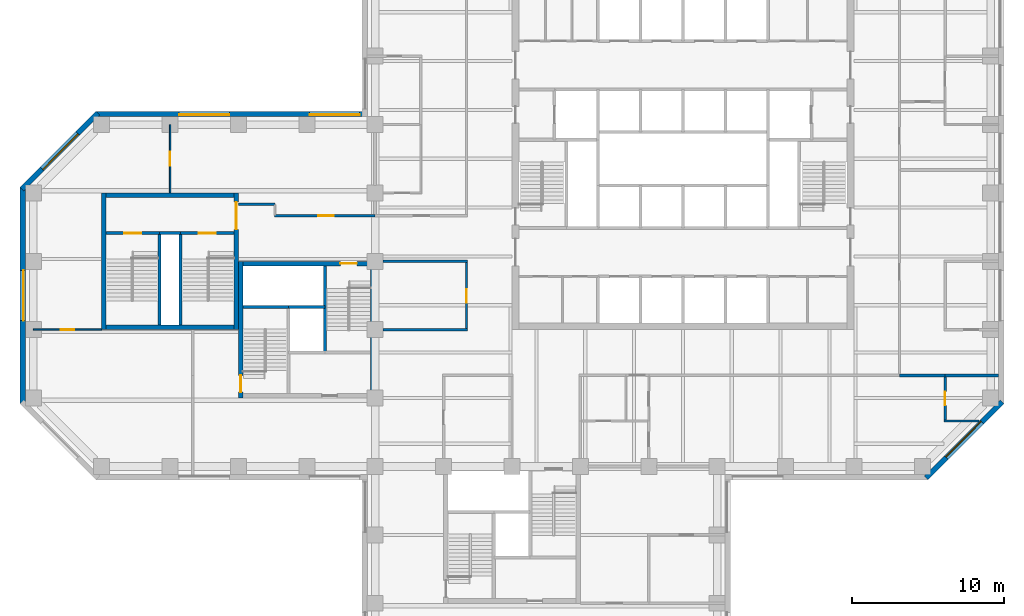
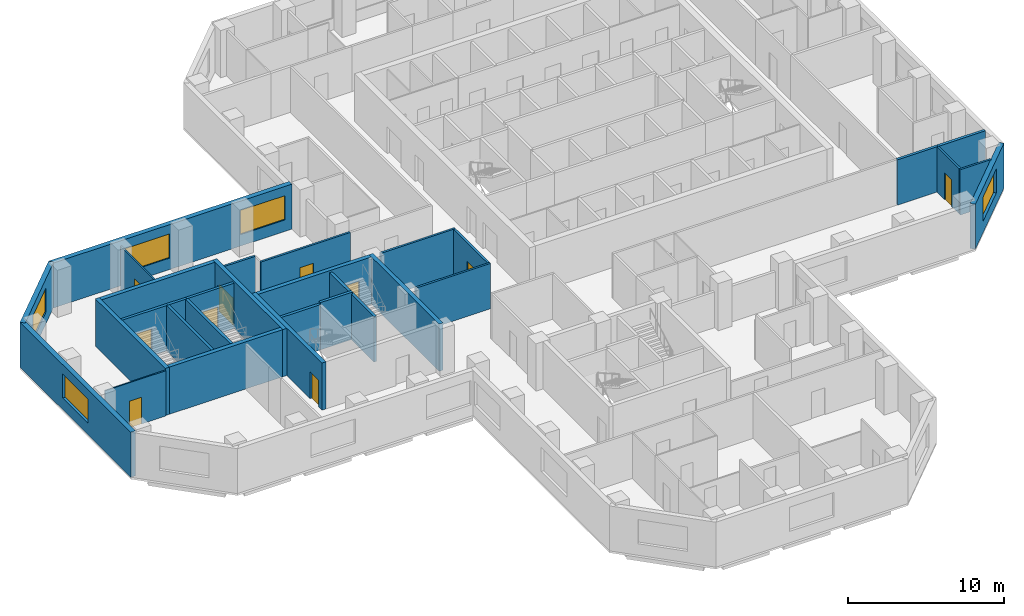
# One storey, part 5 of 11: 30 walls, 10 doors, 5 windows, 15 openings.
"""IFC4 building model written with IfcOpenShell, lengths in metres."""

from ifc_helpers import new_model, si_unit, direction, frame, frame_2d, origin, place, context, subcontext, project, spatial, rectangle, extrude, material, layer, layer_set, constituent, constituent_set, type_object, element, fill, save


model = new_model("IFC4")

# Units and contexts
model_context = context("Model", 3, precision=1e-05, world=origin(), true_north=direction((0.0, 1.0)))
body_context = subcontext(model_context, "Body", "Model", "MODEL_VIEW")
ifc_project = project(units=[si_unit("LENGTHUNIT", "METRE"), si_unit("AREAUNIT", "SQUARE_METRE"), si_unit("VOLUMEUNIT", "CUBIC_METRE"), si_unit("PLANEANGLEUNIT", "RADIAN"), si_unit("MASSUNIT", "GRAM", prefix="KILO")], contexts=[model_context])

# Site, building, storey
site_placement = place(None, origin())
site = spatial("IfcSite", under=ifc_project, at=site_placement, CompositionType="ELEMENT")
building_placement = place(site_placement, origin())
building = spatial("IfcBuilding", under=site, at=building_placement, Name="Quoin Convention Tower", CompositionType="ELEMENT")
storey_placement = place(building_placement, frame((0.0, 0.0, 115.89990234375)))
storey = spatial("IfcBuildingStorey", under=building, at=storey_placement, Name="L30", CompositionType="ELEMENT", Elevation=115.89990234375)

# Wall, opening, window
ifc_material_1 = material(Name="Brick masonry", Category="masonry")
ifc_layer_1 = layer(ifc_material_1, 0.35009765625)
ifc_layer_set_1 = layer_set([ifc_layer_1], Name="Brick masonry")
wall_type_1 = type_object("IfcWallType", Name="Brick facade wall", PredefinedType="STANDARD", material=ifc_layer_set_1)
wall_1_placement = place(storey_placement, frame((72.23876953125, 39.748779296875, 0.0), z_axis=(0.0, 0.0, 1.0), x_axis=(0.707106781187, 0.707106781187, 0.0)))
wall_1 = element("IfcWall", 1, at=wall_1_placement, inside=storey, type_object=wall_type_1, Name="fw-L30-72000_40500", PredefinedType="STANDARD", context=body_context, shape_type="SweptSolid", body=[
    extrude(rectangle(XDim=7.088623046875, YDim=0.35009765625, at=frame_2d((3.54443359375, 0.0))), origin(), (0.0, 0.0, 1.0), 3.525146484375),
])
opening_1_placement = place(wall_1_placement, frame((1.894287109375, 0.0, 0.89990234375)))
opening_1 = element("IfcOpeningElement", 2, at=opening_1_placement, cuts=wall_1, Name="Opening W-02", PredefinedType="OPENING", context=body_context, shape_type="SweptSolid", body=[
    extrude(rectangle(XDim=3.300048828125, YDim=1.89990234375, at=frame_2d((1.64990234375, 0.949951171875))), frame((0.0, 0.18505859375, 0.0), z_axis=(0.0, -1.0, 0.0), x_axis=(1.0, 0.0, 0.0)), (0.0, 0.0, 1.0), 0.3701171875),
])
ifc_material_2 = material(Name="Aluminium", Category="aluminium")
ifc_constituent_1 = constituent(ifc_material_2, Name="Frame")
ifc_material_3 = material(Name="Insulated glass", Category="glass")
ifc_constituent_2 = constituent(ifc_material_3, Name="Glazing")
ifc_constituent_set = constituent_set(constituents=[ifc_constituent_1, ifc_constituent_2], Name="Aluminium")
window_type = type_object("IfcWindowType", Name="Office window", PartitioningType="DOUBLE_PANEL_VERTICAL", PredefinedType="WINDOW", material=ifc_constituent_set)
window_1_placement = place(opening_1_placement, origin())
window_1 = element("IfcWindow", 3, at=window_1_placement, inside=storey, type_object=window_type, Name="win-L30-74745_42255", OverallHeight=1.89990234375, OverallWidth=3.300048828125, PartitioningType="SINGLE_PANEL", PredefinedType="WINDOW", context=body_context, shape_type="SweptSolid", body=[
    extrude(rectangle(XDim=3.300048828125, YDim=1.89990234375, at=frame_2d((1.64990234375, 0.949951171875))), frame((0.0, 0.0849609375, 0.0), z_axis=(0.0, -1.0, 0.0), x_axis=(1.0, 0.0, 0.0)), (0.0, 0.0, 1.0), 0.06005859375),
])
fill(opening_1, window_1)

# Wall, openings, windows
wall_2_placement = place(storey_placement, frame((35.47509765625, 63.699951171875, 0.0), z_axis=(0.0, 0.0, 1.0), x_axis=(-1.0, 0.0, 0.0)))
wall_2 = element("IfcWall", 4, at=wall_2_placement, inside=storey, type_object=wall_type_1, Name="fw-L30-36000_63000", PredefinedType="STANDARD", context=body_context, shape_type="SweptSolid", body=[
    extrude(rectangle(XDim=17.83740234375, YDim=0.35009765625, at=frame_2d((8.918701171875, 0.0))), origin(), (0.0, 0.0, 1.0), 3.525146484375),
])
opening_2_placement = place(wall_2_placement, frame((0.5, 0.0, 0.89990234375)))
opening_2 = element("IfcOpeningElement", 5, at=opening_2_placement, cuts=wall_2, Name="Opening W-02", PredefinedType="OPENING", context=body_context, shape_type="SweptSolid", body=[
    extrude(rectangle(XDim=3.300048828125, YDim=1.89990234375, at=frame_2d((1.64990234375, 0.949951171875))), frame((0.0, 0.18505859375, 0.0), z_axis=(0.0, -1.0, 0.0), x_axis=(1.0, 0.0, 0.0)), (0.0, 0.0, 1.0), 0.3701171875),
])
opening_3_placement = place(wall_2_placement, frame((9.074951171875, 0.0, 0.89990234375)))
opening_3 = element("IfcOpeningElement", 6, at=opening_3_placement, cuts=wall_2, Name="Opening W-02", PredefinedType="OPENING", context=body_context, shape_type="SweptSolid", body=[
    extrude(rectangle(XDim=3.300048828125, YDim=1.89990234375, at=frame_2d((1.64990234375, 0.949951171875))), frame((0.0, 0.18505859375, 0.0), z_axis=(0.0, -1.0, 0.0), x_axis=(1.0, 0.0, 0.0)), (0.0, 0.0, 1.0), 0.3701171875),
])
window_2_placement = place(opening_2_placement, origin())
window_2 = element("IfcWindow", 7, at=window_2_placement, inside=storey, type_object=window_type, Name="win-L30-33750_63700", OverallHeight=1.89990234375, OverallWidth=3.300048828125, PartitioningType="SINGLE_PANEL", PredefinedType="WINDOW", context=body_context, shape_type="SweptSolid", body=[
    extrude(rectangle(XDim=3.300048828125, YDim=1.89990234375, at=frame_2d((1.64990234375, 0.949951171875))), frame((0.0, 0.0849609375, 0.0), z_axis=(0.0, -1.0, 0.0), x_axis=(1.0, 0.0, 0.0)), (0.0, 0.0, 1.0), 0.06005859375),
])
fill(opening_2, window_2)
window_3_placement = place(opening_3_placement, origin())
window_3 = element("IfcWindow", 8, at=window_3_placement, inside=storey, type_object=window_type, Name="win-L30-24750_63700", OverallHeight=1.89990234375, OverallWidth=3.300048828125, PartitioningType="SINGLE_PANEL", PredefinedType="WINDOW", context=body_context, shape_type="SweptSolid", body=[
    extrude(rectangle(XDim=3.300048828125, YDim=1.89990234375, at=frame_2d((1.64990234375, 0.949951171875))), frame((0.0, 0.0849609375, 0.0), z_axis=(0.0, -1.0, 0.0), x_axis=(1.0, 0.0, 0.0)), (0.0, 0.0, 1.0), 0.06005859375),
])
fill(opening_3, window_3)

# Wall, opening, window
wall_3_placement = place(storey_placement, frame((17.76123046875, 63.751220703125, 0.0), z_axis=(0.0, 0.0, 1.0), x_axis=(-0.707106781187, -0.707106781187, 0.0)))
wall_3 = element("IfcWall", 9, at=wall_3_placement, inside=storey, type_object=wall_type_1, Name="fw-L30-18000_63000", PredefinedType="STANDARD", context=body_context, shape_type="SweptSolid", body=[
    extrude(rectangle(XDim=7.088623046875, YDim=0.35009765625, at=frame_2d((3.54443359375, 0.0))), origin(), (0.0, 0.0, 1.0), 3.525146484375),
])
opening_4_placement = place(wall_3_placement, frame((1.894287109375, 0.0, 0.89990234375)))
opening_4 = element("IfcOpeningElement", 10, at=opening_4_placement, cuts=wall_3, Name="Opening W-02", PredefinedType="OPENING", context=body_context, shape_type="SweptSolid", body=[
    extrude(rectangle(XDim=3.300048828125, YDim=1.89990234375, at=frame_2d((1.64990234375, 0.949951171875))), frame((0.0, 0.18505859375, 0.0), z_axis=(0.0, -1.0, 0.0), x_axis=(1.0, 0.0, 0.0)), (0.0, 0.0, 1.0), 0.3701171875),
])
window_4_placement = place(opening_4_placement, origin())
window_4 = element("IfcWindow", 11, at=window_4_placement, inside=storey, type_object=window_type, Name="win-L30-15255_61245", OverallHeight=1.89990234375, OverallWidth=3.300048828125, PartitioningType="SINGLE_PANEL", PredefinedType="WINDOW", context=body_context, shape_type="SweptSolid", body=[
    extrude(rectangle(XDim=3.300048828125, YDim=1.89990234375, at=frame_2d((1.64990234375, 0.949951171875))), frame((0.0, 0.0849609375, 0.0), z_axis=(0.0, -1.0, 0.0), x_axis=(1.0, 0.0, 0.0)), (0.0, 0.0, 1.0), 0.06005859375),
])
fill(opening_4, window_4)

wall_4_placement = place(storey_placement, frame((12.800048828125, 58.8623046875, 0.0), z_axis=(0.0, 0.0, 1.0), x_axis=(0.0, -1.0, 0.0)))
wall_4 = element("IfcWall", 12, at=wall_4_placement, inside=storey, type_object=wall_type_1, Name="fw-L30-13500_58500", PredefinedType="STANDARD", context=body_context, shape_type="SweptSolid", body=[
    extrude(rectangle(XDim=14.224609375, YDim=0.35009765625, at=frame_2d((7.1123046875, 0.0))), origin(), (0.0, 0.0, 1.0), 3.525146484375),
])
opening_5_placement = place(wall_4_placement, frame((5.46240234375, 0.0, 0.89990234375)))
opening_5 = element("IfcOpeningElement", 13, at=opening_5_placement, cuts=wall_4, Name="Opening W-02", PredefinedType="OPENING", context=body_context, shape_type="SweptSolid", body=[
    extrude(rectangle(XDim=3.300048828125, YDim=1.89990234375, at=frame_2d((1.64990234375, 0.949951171875))), frame((0.0, 0.18505859375, 0.0), z_axis=(0.0, -1.0, 0.0), x_axis=(1.0, 0.0, 0.0)), (0.0, 0.0, 1.0), 0.3701171875),
])
window_5_placement = place(opening_5_placement, origin())
window_5 = element("IfcWindow", 14, at=window_5_placement, inside=storey, type_object=window_type, Name="win-L30-12800_51750", OverallHeight=1.89990234375, OverallWidth=3.300048828125, PartitioningType="SINGLE_PANEL", PredefinedType="WINDOW", context=body_context, shape_type="SweptSolid", body=[
    extrude(rectangle(XDim=3.300048828125, YDim=1.89990234375, at=frame_2d((1.64990234375, 0.949951171875))), frame((0.0, 0.0849609375, 0.0), z_axis=(0.0, -1.0, 0.0), x_axis=(1.0, 0.0, 0.0)), (0.0, 0.0, 1.0), 0.06005859375),
])
fill(opening_5, window_5)

# Walls
ifc_material_4 = material(Name="Concrete C50", Category="concrete")
ifc_layer_2 = layer(ifc_material_4, 0.199951171875)
ifc_layer_set_2 = layer_set([ifc_layer_2], Name="Concrete C50")
wall_type_2 = type_object("IfcWallType", Name="Core shaft wall", PredefinedType="SOLIDWALL", material=ifc_layer_set_2)
wall_5_placement = place(storey_placement, frame((27.300048828125, 51.0, 0.0), z_axis=(0.0, 0.0, 1.0), x_axis=(1.0, 0.0, 0.0)))
element("IfcWall", 15, at=wall_5_placement, inside=storey, type_object=wall_type_2, Name="cr-P2-L30-h6000_300", PredefinedType="SOLIDWALL", context=body_context, shape_type="SweptSolid", body=[
    extrude(rectangle(XDim=3.0, YDim=0.199951171875, at=frame_2d((1.5, 0.0))), origin(), (0.0, 0.0, 1.0), 3.550048828125),
])
wall_6_placement = place(storey_placement, frame((32.699951171875, 48.0, 0.0), z_axis=(0.0, 0.0, 1.0), x_axis=(0.0, 1.0, 0.0)))
element("IfcWall", 16, at=wall_6_placement, inside=storey, type_object=wall_type_2, Name="cr-P2-L30-v5700_3000", PredefinedType="SOLIDWALL", context=body_context, shape_type="SweptSolid", body=[
    extrude(rectangle(XDim=5.699951171875, YDim=0.199951171875, at=frame_2d((2.85009765625, 0.0))), origin(), (0.0, 0.0, 1.0), 3.550048828125),
])
wall_7_placement = place(storey_placement, frame((21.800048828125, 55.85009765625, 0.0), z_axis=(0.0, 0.0, 1.0), x_axis=(1.0, 0.0, 0.0)))
element("IfcWall", 17, at=wall_7_placement, inside=storey, type_object=wall_type_2, Name="cr-P6-L30-h6350_3800", PredefinedType="SOLIDWALL", context=body_context, shape_type="SweptSolid", body=[
    extrude(rectangle(XDim=1.39990234375, YDim=0.199951171875, at=frame_2d((0.699951171875, 0.0))), origin(), (0.0, 0.0, 1.0), 3.550048828125),
])

# Wall, opening, door
wall_8_placement = place(storey_placement, frame((18.300048828125, 55.85009765625, 0.0), z_axis=(0.0, 0.0, 1.0), x_axis=(1.0, 0.0, 0.0)))
wall_8 = element("IfcWall", 18, at=wall_8_placement, inside=storey, type_object=wall_type_2, Name="cr-P6-L30-h6350_300", PredefinedType="SOLIDWALL", context=body_context, shape_type="SweptSolid", body=[
    extrude(rectangle(XDim=3.5, YDim=0.199951171875, at=frame_2d((1.75, 0.0))), origin(), (0.0, 0.0, 1.0), 3.550048828125),
])
opening_6_placement = place(wall_8_placement, frame((1.199951171875, 0.0, 0.0)))
opening_6 = element("IfcOpeningElement", 19, at=opening_6_placement, cuts=wall_8, Name="Opening SD11", PredefinedType="OPENING", context=body_context, shape_type="SweptSolid", body=[
    extrude(rectangle(XDim=1.10009765625, YDim=2.10009765625, at=frame_2d((0.550048828125, 1.050048828125))), frame((0.0, 0.10986328125, 0.0), z_axis=(0.0, -1.0, 0.0), x_axis=(1.0, 0.0, 0.0)), (0.0, 0.0, 1.0), 0.219970703125),
])
ifc_material_5 = material(Name="Steel door leaf", Category="steel")
door_type_1 = type_object("IfcDoorType", Name="Stair door 1100 x 2100", OperationType="SINGLE_SWING_RIGHT", PredefinedType="DOOR", material=ifc_material_5)
door_1_placement = place(opening_6_placement, origin())
door_1 = element("IfcDoor", 20, at=door_1_placement, inside=storey, type_object=door_type_1, Name="cd-P6-L30-SA-R2-SD11", OperationType="SINGLE_SWING_RIGHT", OverallHeight=2.10009765625, OverallWidth=1.10009765625, PredefinedType="DOOR", context=body_context, shape_type="SweptSolid", body=[
    extrude(rectangle(XDim=1.10009765625, YDim=2.10009765625, at=frame_2d((0.550048828125, 1.050048828125))), frame((0.0, 0.02490234375, 0.0), z_axis=(0.0, -1.0, 0.0), x_axis=(1.0, 0.0, 0.0)), (0.0, 0.0, 1.0), 0.050048828125),
])
fill(opening_6, door_1)

wall_9_placement = place(storey_placement, frame((23.199951171875, 55.85009765625, 0.0), z_axis=(0.0, 0.0, 1.0), x_axis=(1.0, 0.0, 0.0)))
wall_9 = element("IfcWall", 21, at=wall_9_placement, inside=storey, type_object=wall_type_2, Name="cr-P6-L30-h6350_5200", PredefinedType="SOLIDWALL", context=body_context, shape_type="SweptSolid", body=[
    extrude(rectangle(XDim=3.5, YDim=0.199951171875, at=frame_2d((1.75, 0.0))), origin(), (0.0, 0.0, 1.0), 3.550048828125),
])
opening_7_placement = place(wall_9_placement, frame((1.199951171875, 0.0, 0.0)))
opening_7 = element("IfcOpeningElement", 22, at=opening_7_placement, cuts=wall_9, Name="Opening SD12", PredefinedType="OPENING", context=body_context, shape_type="SweptSolid", body=[
    extrude(rectangle(XDim=1.10009765625, YDim=2.10009765625, at=frame_2d((0.550048828125, 1.050048828125))), frame((0.0, 0.10986328125, 0.0), z_axis=(0.0, -1.0, 0.0), x_axis=(1.0, 0.0, 0.0)), (0.0, 0.0, 1.0), 0.219970703125),
])
door_2_placement = place(opening_7_placement, origin())
door_2 = element("IfcDoor", 23, at=door_2_placement, inside=storey, type_object=door_type_1, Name="cd-P6-L30-SB-R2-SD12", OperationType="SINGLE_SWING_RIGHT", OverallHeight=2.10009765625, OverallWidth=1.10009765625, PredefinedType="DOOR", context=body_context, shape_type="SweptSolid", body=[
    extrude(rectangle(XDim=1.10009765625, YDim=2.10009765625, at=frame_2d((0.550048828125, 1.050048828125))), frame((0.0, 0.02490234375, 0.0), z_axis=(0.0, -1.0, 0.0), x_axis=(1.0, 0.0, 0.0)), (0.0, 0.0, 1.0), 0.050048828125),
])
fill(opening_7, door_2)

# Walls
for number, where, z_axis, x_axis, name in (
    (24, (21.800048828125, 49.800048828125, 0.0), (0.0, 0.0, 1.0), (0.0, 1.0, 0.0), "cr-P6-L30-v3800_300"),
    (25, (23.199951171875, 49.800048828125, 0.0), (0.0, 0.0, 1.0), (0.0, 1.0, 0.0), "cr-P6-L30-v5200_300"),
):
    element("IfcWall", number, at=place(storey_placement, frame(where, z_axis=z_axis, x_axis=x_axis)), inside=storey, type_object=wall_type_2, Name=name, PredefinedType="SOLIDWALL", context=body_context, shape_type="SweptSolid", body=[
        extrude(rectangle(XDim=6.050048828125, YDim=0.199951171875, at=frame_2d((3.02490234375, 0.0))), origin(), (0.0, 0.0, 1.0), 3.550048828125),
    ])
ifc_layer_3 = layer(ifc_material_4, 0.199951171875)
ifc_layer_set_3 = layer_set([ifc_layer_3], Name="Concrete C50")
wall_type_3 = type_object("IfcWallType", Name="Core shaft wall to the floor level over", PredefinedType="SOLIDWALL", material=ifc_layer_set_3)
wall_10_placement = place(storey_placement, frame((30.300048828125, 51.0, 0.0), z_axis=(0.0, 0.0, 1.0), x_axis=(1.0, 0.0, 0.0)))
element("IfcWall", 26, at=wall_10_placement, inside=storey, type_object=wall_type_3, Name="cr-P2-L30-h6000_3300", PredefinedType="SOLIDWALL", context=body_context, shape_type="SweptSolid", body=[
    extrude(rectangle(XDim=2.39990234375, YDim=0.199951171875, at=frame_2d((1.199951171875, 0.0))), origin(), (0.0, 0.0, 1.0), 3.7001953125),
])
ifc_material_6 = material(Name="Plasterboard")
ifc_layer_4 = layer(ifc_material_6, 0.012451171875, Name="Finish")
ifc_material_7 = material(Name="Steel stud framing", Category="steel")
ifc_layer_5 = layer(ifc_material_7, 0.125, Name="Structure")
ifc_layer_6 = layer(ifc_material_6, 0.012451171875, Name="Finish")
ifc_layer_set_4 = layer_set([ifc_layer_4, ifc_layer_5, ifc_layer_6], Name="Steel stud framing")
wall_type_4 = type_object("IfcWallType", Name="Corridor wall 150", PredefinedType="PARTITIONING", material=ifc_layer_set_4)
for number, where, z_axis, x_axis, name in (
    (27, (36.52490234375, 49.5, 0.0), (0.0, 0.0, 1.0), (1.0, 0.0, 0.0), "pw-L30-027"),
    (28, (36.52490234375, 54.0, 0.0), (0.0, 0.0, 1.0), (1.0, 0.0, 0.0), "pw-L30-031"),
):
    element("IfcWall", number, at=place(storey_placement, frame(where, z_axis=z_axis, x_axis=x_axis)), inside=storey, type_object=wall_type_4, Name=name, PredefinedType="PARTITIONING", context=body_context, shape_type="SweptSolid", body=[
        extrude(rectangle(XDim=5.550048828125, YDim=0.14990234375, at=frame_2d((2.77490234375, 0.0))), origin(), (0.0, 0.0, 1.0), 3.550048828125),
    ])

# Wall, opening, door
wall_11_placement = place(storey_placement, frame((29.3798828125, 57.0, 0.0), z_axis=(0.0, 0.0, 1.0), x_axis=(1.0, 0.0, 0.0)))
wall_11 = element("IfcWall", 29, at=wall_11_placement, inside=storey, type_object=wall_type_4, Name="pw-L30-033", PredefinedType="PARTITIONING", context=body_context, shape_type="SweptSolid", body=[
    extrude(rectangle(XDim=6.6201171875, YDim=0.14990234375, at=frame_2d((3.31005859375, 0.0))), origin(), (0.0, 0.0, 1.0), 3.550048828125),
])
opening_8_placement = place(wall_11_placement, frame((2.8798828125, 0.0, 0.0)))
opening_8 = element("IfcOpeningElement", 30, at=opening_8_placement, cuts=wall_11, Name="Opening DOL6-11", PredefinedType="OPENING", context=body_context, shape_type="SweptSolid", body=[
    extrude(rectangle(XDim=1.0, YDim=2.10009765625, at=frame_2d((0.5, 1.050048828125))), frame((0.0, 0.0849609375, 0.0), z_axis=(0.0, -1.0, 0.0), x_axis=(1.0, 0.0, 0.0)), (0.0, 0.0, 1.0), 0.169921875),
])
door_type_2 = type_object("IfcDoorType", Name="Tenancy entrance door 1000 x 2100", OperationType="DOUBLE_DOOR_SINGLE_SWING", PredefinedType="DOOR", material=ifc_material_5)
door_3_placement = place(opening_8_placement, origin())
door_3 = element("IfcDoor", 31, at=door_3_placement, inside=storey, type_object=door_type_2, Name="dr-L30-w01", OperationType="DOUBLE_DOOR_SINGLE_SWING", OverallHeight=2.10009765625, OverallWidth=1.0, PredefinedType="DOOR", context=body_context, shape_type="SweptSolid", body=[
    extrude(rectangle(XDim=1.0, YDim=2.10009765625, at=frame_2d((0.5, 1.050048828125))), frame((0.0, 0.02490234375, 0.0), z_axis=(0.0, -1.0, 0.0), x_axis=(1.0, 0.0, 0.0)), (0.0, 0.0, 1.0), 0.050048828125),
])
fill(opening_8, door_3)

wall_12_placement = place(storey_placement, frame((42.0, 49.574951171875, 0.0), z_axis=(0.0, 0.0, 1.0), x_axis=(0.0, 1.0, 0.0)))
wall_12 = element("IfcWall", 32, at=wall_12_placement, inside=storey, type_object=wall_type_4, Name="pw-L30-083", PredefinedType="PARTITIONING", context=body_context, shape_type="SweptSolid", body=[
    extrude(rectangle(XDim=4.35009765625, YDim=0.14990234375, at=frame_2d((2.175048828125, 0.0))), origin(), (0.0, 0.0, 1.0), 3.550048828125),
])
opening_9_placement = place(wall_12_placement, frame((1.699951171875, 0.0, 0.0)))
opening_9 = element("IfcOpeningElement", 33, at=opening_9_placement, cuts=wall_12, Name="Opening DOL6-30", PredefinedType="OPENING", context=body_context, shape_type="SweptSolid", body=[
    extrude(rectangle(XDim=0.89990234375, YDim=2.10009765625, at=frame_2d((0.449951171875, 1.050048828125))), frame((0.0, 0.0849609375, 0.0), z_axis=(0.0, -1.0, 0.0), x_axis=(1.0, 0.0, 0.0)), (0.0, 0.0, 1.0), 0.169921875),
])
door_type_3 = type_object("IfcDoorType", Name="Office door 900 x 2100", OperationType="SINGLE_SWING_RIGHT", PredefinedType="DOOR", material=ifc_material_5)
door_4_placement = place(opening_9_placement, origin())
door_4 = element("IfcDoor", 34, at=door_4_placement, inside=storey, type_object=door_type_3, Name="dr-L30-01", OperationType="SINGLE_SWING_RIGHT", OverallHeight=2.10009765625, OverallWidth=0.89990234375, PredefinedType="DOOR", context=body_context, shape_type="SweptSolid", body=[
    extrude(rectangle(XDim=0.89990234375, YDim=2.10009765625, at=frame_2d((0.449951171875, 1.050048828125))), frame((0.0, 0.02490234375, 0.0), z_axis=(0.0, -1.0, 0.0), x_axis=(1.0, 0.0, 0.0)), (0.0, 0.0, 1.0), 0.050048828125),
])
fill(opening_9, door_4)

# Wall
wall_13_placement = place(storey_placement, frame((27.0, 57.75, 0.0), z_axis=(0.0, 0.0, 1.0), x_axis=(1.0, 0.0, 0.0)))
element("IfcWall", 35, at=wall_13_placement, inside=storey, type_object=wall_type_4, Name="pw-L30-w03", PredefinedType="PARTITIONING", context=body_context, shape_type="SweptSolid", body=[
    extrude(rectangle(XDim=2.39990234375, YDim=0.14990234375, at=frame_2d((1.199951171875, 0.0))), origin(), (0.0, 0.0, 1.0), 3.550048828125),
])

# Wall, opening, door
ifc_material_8 = material(Name="Concrete C65", Category="concrete")
ifc_layer_7 = layer(ifc_material_8, 0.300048828125)
ifc_layer_set_5 = layer_set([ifc_layer_7], Name="Concrete C65")
wall_type_5 = type_object("IfcWallType", Name="RC CORE WALL 300 C65", PredefinedType="SHEAR", material=ifc_layer_set_5)
wall_14_placement = place(storey_placement, frame((27.300048828125, 53.85009765625, 0.0), z_axis=(0.0, 0.0, 1.0), x_axis=(1.0, 0.0, 0.0)))
wall_14 = element("IfcWall", 36, at=wall_14_placement, inside=storey, type_object=wall_type_5, Name="cwl-P2-L30-N", PredefinedType="SHEAR", context=body_context, shape_type="SweptSolid", body=[
    extrude(rectangle(XDim=8.39990234375, YDim=0.300048828125, at=frame_2d((4.199951171875, 0.0))), origin(), (0.0, 0.0, 1.0), 3.7001953125),
])
opening_10_placement = place(wall_14_placement, frame((6.39990234375, 0.0, 0.0)))
opening_10 = element("IfcOpeningElement", 37, at=opening_10_placement, cuts=wall_14, Name="Opening SD4", PredefinedType="OPENING", context=body_context, shape_type="SweptSolid", body=[
    extrude(rectangle(XDim=1.10009765625, YDim=2.10009765625, at=frame_2d((0.550048828125, 1.050048828125))), frame((0.0, 0.159912109375, 0.0), z_axis=(0.0, -1.0, 0.0), x_axis=(1.0, 0.0, 0.0)), (0.0, 0.0, 1.0), 0.320068359375),
])
door_5_placement = place(opening_10_placement, frame((1.10009765625, 0.0, 0.0), z_axis=(0.0, 0.0, 1.0), x_axis=(-1.0, 0.0, 0.0)))
door_5 = element("IfcDoor", 38, at=door_5_placement, inside=storey, type_object=door_type_1, Name="cd-P2-L30-SB-N", OperationType="SINGLE_SWING_LEFT", OverallHeight=2.10009765625, OverallWidth=1.10009765625, PredefinedType="DOOR", context=body_context, shape_type="SweptSolid", body=[
    extrude(rectangle(XDim=1.10009765625, YDim=2.10009765625, at=frame_2d((0.550048828125, 1.050048828125))), frame((0.0, 0.02490234375, 0.0), z_axis=(0.0, -1.0, 0.0), x_axis=(1.0, 0.0, 0.0)), (0.0, 0.0, 1.0), 0.050048828125),
])
fill(opening_10, door_5)

wall_15_placement = place(storey_placement, frame((27.14990234375, 45.0, 0.0), z_axis=(0.0, 0.0, 1.0), x_axis=(0.0, 1.0, 0.0)))
wall_15 = element("IfcWall", 39, at=wall_15_placement, inside=storey, type_object=wall_type_5, Name="cwl-P2-L30-W", PredefinedType="SHEAR", context=body_context, shape_type="SweptSolid", body=[
    extrude(rectangle(XDim=9.0, YDim=0.300048828125, at=frame_2d((4.5, 0.0))), origin(), (0.0, 0.0, 1.0), 3.7001953125),
])
opening_11_placement = place(wall_15_placement, frame((0.39990234375, 0.0, 0.0)))
opening_11 = element("IfcOpeningElement", 40, at=opening_11_placement, cuts=wall_15, Name="Opening SD3", PredefinedType="OPENING", context=body_context, shape_type="SweptSolid", body=[
    extrude(rectangle(XDim=1.10009765625, YDim=2.10009765625, at=frame_2d((0.550048828125, 1.050048828125))), frame((0.0, 0.159912109375, 0.0), z_axis=(0.0, -1.0, 0.0), x_axis=(1.0, 0.0, 0.0)), (0.0, 0.0, 1.0), 0.320068359375),
])
door_6_placement = place(opening_11_placement, frame((1.10009765625, 0.0, 0.0), z_axis=(0.0, 0.0, 1.0), x_axis=(-1.0, 0.0, 0.0)))
door_6 = element("IfcDoor", 41, at=door_6_placement, inside=storey, type_object=door_type_1, Name="cd-P2-L30-SA-W", OperationType="SINGLE_SWING_RIGHT", OverallHeight=2.10009765625, OverallWidth=1.10009765625, PredefinedType="DOOR", context=body_context, shape_type="SweptSolid", body=[
    extrude(rectangle(XDim=1.10009765625, YDim=2.10009765625, at=frame_2d((0.550048828125, 1.050048828125))), frame((0.0, 0.02490234375, 0.0), z_axis=(0.0, -1.0, 0.0), x_axis=(1.0, 0.0, 0.0)), (0.0, 0.0, 1.0), 0.050048828125),
])
fill(opening_11, door_6)

# Walls
wall_16_placement = place(storey_placement, frame((35.85009765625, 45.0, 0.0), z_axis=(0.0, 0.0, 1.0), x_axis=(0.0, 1.0, 0.0)))
element("IfcWall", 42, at=wall_16_placement, inside=storey, type_object=wall_type_5, Name="cwl-P2-L30-E", PredefinedType="SHEAR", context=body_context, shape_type="SweptSolid", body=[
    extrude(rectangle(XDim=9.0, YDim=0.300048828125, at=frame_2d((4.5, 0.0))), origin(), (0.0, 0.0, 1.0), 3.7001953125),
])
for number, where, z_axis, x_axis, name in (
    (43, (18.300048828125, 49.64990234375, 0.0), (0.0, 0.0, 1.0), (1.0, 0.0, 0.0), "cwl-P6-L30-S"),
    (44, (18.300048828125, 58.35009765625, 0.0), (0.0, 0.0, 1.0), (1.0, 0.0, 0.0), "cwl-P6-L30-N"),
):
    element("IfcWall", number, at=place(storey_placement, frame(where, z_axis=z_axis, x_axis=x_axis)), inside=storey, type_object=wall_type_5, Name=name, PredefinedType="SHEAR", context=body_context, shape_type="SweptSolid", body=[
        extrude(rectangle(XDim=8.39990234375, YDim=0.300048828125, at=frame_2d((4.199951171875, 0.0))), origin(), (0.0, 0.0, 1.0), 3.7001953125),
    ])
wall_17_placement = place(storey_placement, frame((18.14990234375, 49.5, 0.0), z_axis=(0.0, 0.0, 1.0), x_axis=(0.0, 1.0, 0.0)))
element("IfcWall", 45, at=wall_17_placement, inside=storey, type_object=wall_type_5, Name="cwl-P6-L30-W", PredefinedType="SHEAR", context=body_context, shape_type="SweptSolid", body=[
    extrude(rectangle(XDim=9.0, YDim=0.300048828125, at=frame_2d((4.5, 0.0))), origin(), (0.0, 0.0, 1.0), 3.7001953125),
])

# Wall, opening, door
wall_18_placement = place(storey_placement, frame((26.85009765625, 49.5, 0.0), z_axis=(0.0, 0.0, 1.0), x_axis=(0.0, 1.0, 0.0)))
wall_18 = element("IfcWall", 46, at=wall_18_placement, inside=storey, type_object=wall_type_5, Name="cwl-P6-L30-E", PredefinedType="SHEAR", context=body_context, shape_type="SweptSolid", body=[
    extrude(rectangle(XDim=9.0, YDim=0.300048828125, at=frame_2d((4.5, 0.0))), origin(), (0.0, 0.0, 1.0), 3.7001953125),
])
opening_12_placement = place(wall_18_placement, frame((6.60009765625, 0.0, 0.0)))
opening_12 = element("IfcOpeningElement", 47, at=opening_12_placement, cuts=wall_18, Name="Opening DCV4-45", PredefinedType="OPENING", context=body_context, shape_type="SweptSolid", body=[
    extrude(rectangle(XDim=1.800048828125, YDim=2.10009765625, at=frame_2d((0.89990234375, 1.050048828125))), frame((0.0, 0.159912109375, 0.0), z_axis=(0.0, -1.0, 0.0), x_axis=(1.0, 0.0, 0.0)), (0.0, 0.0, 1.0), 0.320068359375),
])
door_type_4 = type_object("IfcDoorType", Name="Goods lobby door 1800 x 2100", OperationType="SINGLE_SWING_LEFT", PredefinedType="DOOR", material=ifc_material_5)
door_7_placement = place(opening_12_placement, origin())
door_7 = element("IfcDoor", 48, at=door_7_placement, inside=storey, type_object=door_type_4, Name="cd-P6-L30-R2-E", OperationType="SINGLE_SWING_LEFT", OverallHeight=2.10009765625, OverallWidth=1.800048828125, PredefinedType="DOOR", context=body_context, shape_type="SweptSolid", body=[
    extrude(rectangle(XDim=1.800048828125, YDim=2.10009765625, at=frame_2d((0.89990234375, 1.050048828125))), frame((0.0, 0.02490234375, 0.0), z_axis=(0.0, -1.0, 0.0), x_axis=(1.0, 0.0, 0.0)), (0.0, 0.0, 1.0), 0.050048828125),
])
fill(opening_12, door_7)

ifc_layer_8 = layer(ifc_material_6, 0.012451171875, Name="Finish")
ifc_layer_9 = layer(ifc_material_7, 0.074951171875, Name="Structure")
ifc_layer_10 = layer(ifc_material_6, 0.012451171875, Name="Finish")
ifc_layer_set_6 = layer_set([ifc_layer_8, ifc_layer_9, ifc_layer_10], Name="Steel stud framing")
wall_type_6 = type_object("IfcWallType", Name="Stud partition 100", PredefinedType="PARTITIONING", material=ifc_layer_set_6)
wall_19_placement = place(storey_placement, frame((22.5, 63.0, 0.0), z_axis=(0.0, 0.0, 1.0), x_axis=(0.0, -1.0, 0.0)))
wall_19 = element("IfcWall", 49, at=wall_19_placement, inside=storey, type_object=wall_type_6, Name="pw-L30-w01", PredefinedType="PARTITIONING", context=body_context, shape_type="SweptSolid", body=[
    extrude(rectangle(XDim=4.5, YDim=0.10009765625, at=frame_2d((2.25, 0.0))), origin(), (0.0, 0.0, 1.0), 3.550048828125),
])
opening_13_placement = place(wall_19_placement, frame((1.800048828125, 0.0, 0.0)))
opening_13 = element("IfcOpeningElement", 50, at=opening_13_placement, cuts=wall_19, Name="Opening DOL6-38", PredefinedType="OPENING", context=body_context, shape_type="SweptSolid", body=[
    extrude(rectangle(XDim=0.89990234375, YDim=2.10009765625, at=frame_2d((0.449951171875, 1.050048828125))), frame((0.0, 0.06005859375, 0.0), z_axis=(0.0, -1.0, 0.0), x_axis=(1.0, 0.0, 0.0)), (0.0, 0.0, 1.0), 0.1201171875),
])
door_8_placement = place(opening_13_placement, origin())
door_8 = element("IfcDoor", 51, at=door_8_placement, inside=storey, type_object=door_type_3, Name="dr-L30-w02", OperationType="SINGLE_SWING_LEFT", OverallHeight=2.10009765625, OverallWidth=0.89990234375, PredefinedType="DOOR", context=body_context, shape_type="SweptSolid", body=[
    extrude(rectangle(XDim=0.89990234375, YDim=2.10009765625, at=frame_2d((0.449951171875, 1.050048828125))), frame((0.0, 0.02490234375, 0.0), z_axis=(0.0, -1.0, 0.0), x_axis=(1.0, 0.0, 0.0)), (0.0, 0.0, 1.0), 0.050048828125),
])
fill(opening_13, door_8)

wall_20_placement = place(storey_placement, frame((13.5, 49.5, 0.0), z_axis=(0.0, 0.0, 1.0), x_axis=(1.0, 0.0, 0.0)))
wall_20 = element("IfcWall", 52, at=wall_20_placement, inside=storey, type_object=wall_type_6, Name="pw-L30-w02", PredefinedType="PARTITIONING", context=body_context, shape_type="SweptSolid", body=[
    extrude(rectangle(XDim=4.5, YDim=0.10009765625, at=frame_2d((2.25, 0.0))), origin(), (0.0, 0.0, 1.0), 3.550048828125),
])
opening_14_placement = place(wall_20_placement, frame((1.800048828125, 0.0, 0.0)))
opening_14 = element("IfcOpeningElement", 53, at=opening_14_placement, cuts=wall_20, Name="Opening DOL6-39", PredefinedType="OPENING", context=body_context, shape_type="SweptSolid", body=[
    extrude(rectangle(XDim=0.89990234375, YDim=2.10009765625, at=frame_2d((0.449951171875, 1.050048828125))), frame((0.0, 0.06005859375, 0.0), z_axis=(0.0, -1.0, 0.0), x_axis=(1.0, 0.0, 0.0)), (0.0, 0.0, 1.0), 0.1201171875),
])
door_9_placement = place(opening_14_placement, frame((0.89990234375, 0.0, 0.0), z_axis=(0.0, 0.0, 1.0), x_axis=(-1.0, 0.0, 0.0)))
door_9 = element("IfcDoor", 54, at=door_9_placement, inside=storey, type_object=door_type_3, Name="dr-L30-w03", OperationType="SINGLE_SWING_LEFT", OverallHeight=2.10009765625, OverallWidth=0.89990234375, PredefinedType="DOOR", context=body_context, shape_type="SweptSolid", body=[
    extrude(rectangle(XDim=0.89990234375, YDim=2.10009765625, at=frame_2d((0.449951171875, 1.050048828125))), frame((0.0, 0.02490234375, 0.0), z_axis=(0.0, -1.0, 0.0), x_axis=(1.0, 0.0, 0.0)), (0.0, 0.0, 1.0), 0.050048828125),
])
fill(opening_14, door_9)

# Walls
ifc_layer_11 = layer(ifc_material_6, 0.012451171875, Name="Finish")
ifc_layer_12 = layer(ifc_material_7, 0.175048828125, Name="Structure")
ifc_layer_13 = layer(ifc_material_6, 0.012451171875, Name="Finish")
ifc_layer_set_7 = layer_set([ifc_layer_11, ifc_layer_12, ifc_layer_13], Name="Steel stud framing")
wall_type_7 = type_object("IfcWallType", Name="Tenancy demising wall 200", PredefinedType="PARTITIONING", material=ifc_layer_set_7)
wall_21_placement = place(storey_placement, frame((70.5, 46.5, 0.0), z_axis=(0.0, 0.0, 1.0), x_axis=(1.0, 0.0, 0.0)))
element("IfcWall", 55, at=wall_21_placement, inside=storey, type_object=wall_type_7, Name="pw-L30-024", PredefinedType="PARTITIONING", context=body_context, shape_type="SweptSolid", body=[
    extrude(rectangle(XDim=3.0, YDim=0.199951171875, at=frame_2d((1.5, 0.0))), origin(), (0.0, 0.0, 1.0), 3.550048828125),
])
wall_22_placement = place(storey_placement, frame((73.5, 46.5, 0.0), z_axis=(0.0, 0.0, 1.0), x_axis=(1.0, 0.0, 0.0)))
element("IfcWall", 56, at=wall_22_placement, inside=storey, type_object=wall_type_7, Name="pw-L30-025", PredefinedType="PARTITIONING", context=body_context, shape_type="SweptSolid", body=[
    extrude(rectangle(XDim=3.52490234375, YDim=0.199951171875, at=frame_2d((1.762451171875, 0.0))), origin(), (0.0, 0.0, 1.0), 3.550048828125),
])
ifc_layer_14 = layer(ifc_material_6, 0.012451171875, Name="Finish")
ifc_layer_15 = layer(ifc_material_7, 0.125, Name="Structure")
ifc_layer_16 = layer(ifc_material_6, 0.012451171875, Name="Finish")
ifc_layer_set_8 = layer_set([ifc_layer_14, ifc_layer_15, ifc_layer_16], Name="Steel stud framing")
wall_type_8 = type_object("IfcWallType", Name="Wet area partition 150", PredefinedType="PARTITIONING", material=ifc_layer_set_8)
wall_23_placement = place(storey_placement, frame((73.425048828125, 43.5, 0.0), z_axis=(0.0, 0.0, 1.0), x_axis=(1.0, 0.0, 0.0)))
element("IfcWall", 57, at=wall_23_placement, inside=storey, type_object=wall_type_8, Name="pw-L30-016", PredefinedType="PARTITIONING", context=body_context, shape_type="SweptSolid", body=[
    extrude(rectangle(XDim=2.3173828125, YDim=0.14990234375, at=frame_2d((1.15869140625, 0.0))), origin(), (0.0, 0.0, 1.0), 3.550048828125),
])

# Wall, opening, door
wall_24_placement = place(storey_placement, frame((73.5, 43.574951171875, 0.0), z_axis=(0.0, 0.0, 1.0), x_axis=(0.0, 1.0, 0.0)))
wall_24 = element("IfcWall", 58, at=wall_24_placement, inside=storey, type_object=wall_type_8, Name="pw-L30-076", PredefinedType="PARTITIONING", context=body_context, shape_type="SweptSolid", body=[
    extrude(rectangle(XDim=2.824951171875, YDim=0.14990234375, at=frame_2d((1.41259765625, 0.0))), origin(), (0.0, 0.0, 1.0), 3.550048828125),
])
opening_15_placement = place(wall_24_placement, frame((0.949951171875, 0.0, 0.0)))
opening_15 = element("IfcOpeningElement", 59, at=opening_15_placement, cuts=wall_24, Name="Opening DOL6-28", PredefinedType="OPENING", context=body_context, shape_type="SweptSolid", body=[
    extrude(rectangle(XDim=0.89990234375, YDim=2.10009765625, at=frame_2d((0.449951171875, 1.050048828125))), frame((0.0, 0.0849609375, 0.0), z_axis=(0.0, -1.0, 0.0), x_axis=(1.0, 0.0, 0.0)), (0.0, 0.0, 1.0), 0.169921875),
])
door_10_placement = place(opening_15_placement, origin())
door_10 = element("IfcDoor", 60, at=door_10_placement, inside=storey, type_object=door_type_3, Name="dr-L30-20", OperationType="SINGLE_SWING_RIGHT", OverallHeight=2.10009765625, OverallWidth=0.89990234375, PredefinedType="DOOR", context=body_context, shape_type="SweptSolid", body=[
    extrude(rectangle(XDim=0.89990234375, YDim=2.10009765625, at=frame_2d((0.449951171875, 1.050048828125))), frame((0.0, 0.02490234375, 0.0), z_axis=(0.0, -1.0, 0.0), x_axis=(1.0, 0.0, 0.0)), (0.0, 0.0, 1.0), 0.050048828125),
])
fill(opening_15, door_10)

save(model, "model.ifc")
